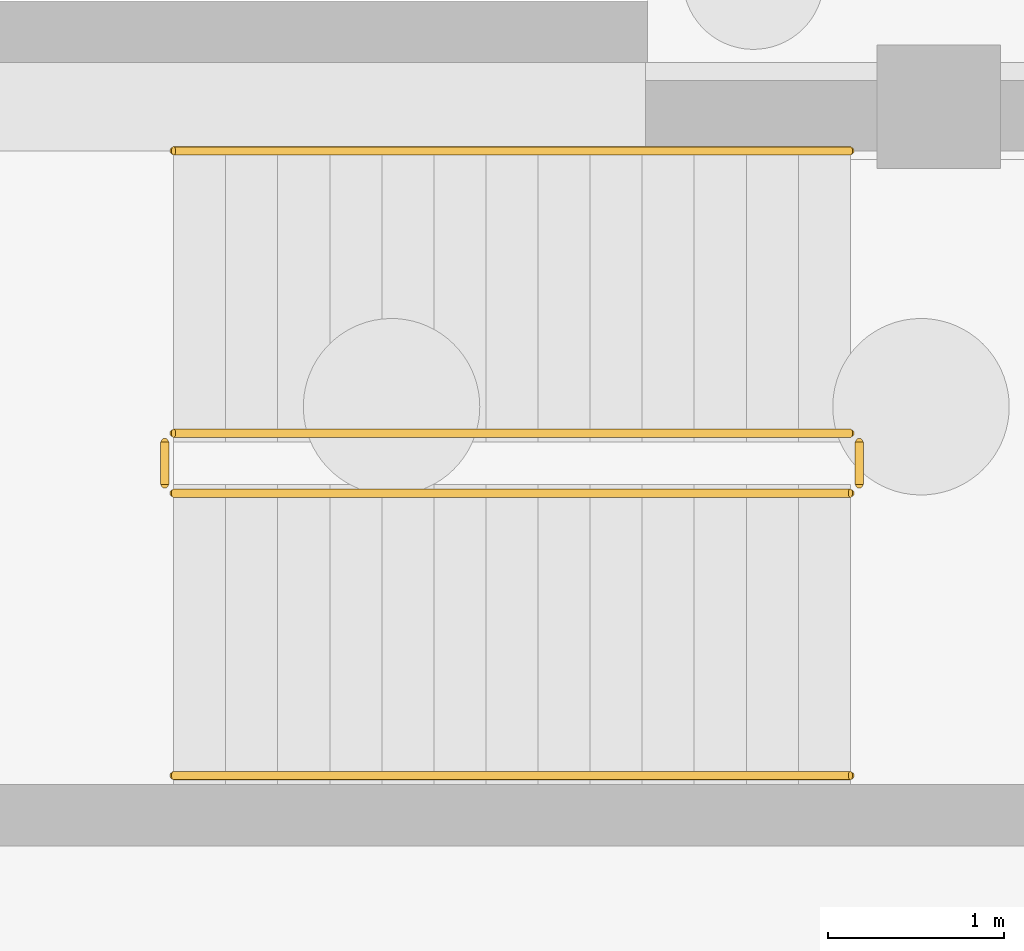
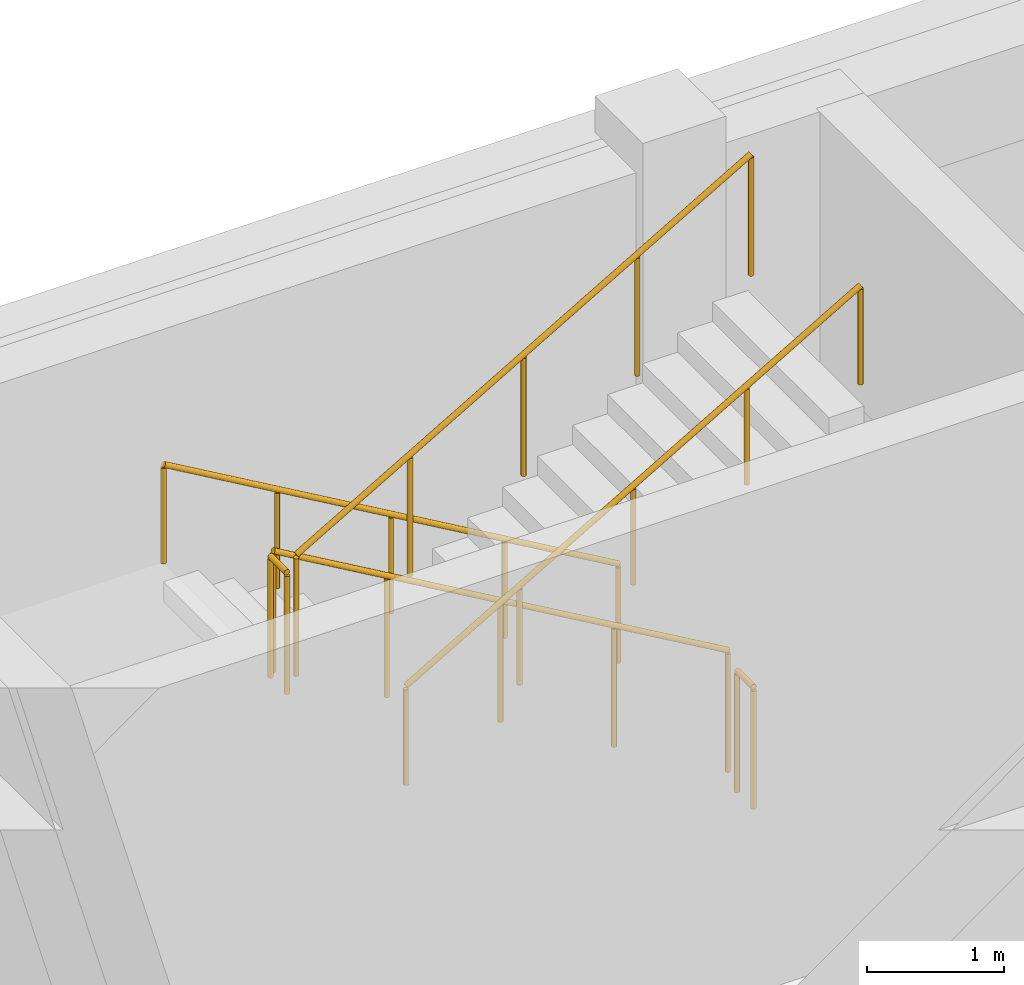
# One storey, part 33 of 35: 6 railings.
"""IFC4 building model written with IfcOpenShell, lengths in metres."""

from ifc_helpers import new_model, si_unit, direction, frame, origin, origin_2d, place, context, subcontext, project, spatial, circle, extrude, material, type_object, element, save


model = new_model("IFC4")

# Units and contexts
model_context = context("Model", 3, precision=1e-05, world=origin(), true_north=direction((0.0, 1.0)))
body_context = subcontext(model_context, "Body", "Model", "MODEL_VIEW")
ifc_project = project(units=[si_unit("LENGTHUNIT", "METRE"), si_unit("AREAUNIT", "SQUARE_METRE"), si_unit("VOLUMEUNIT", "CUBIC_METRE"), si_unit("PLANEANGLEUNIT", "RADIAN"), si_unit("MASSUNIT", "GRAM", prefix="KILO")], contexts=[model_context])

# Site, building, storey
site_placement = place(None, origin())
site = spatial("IfcSite", under=ifc_project, at=site_placement, CompositionType="ELEMENT")
building_placement = place(site_placement, origin())
building = spatial("IfcBuilding", under=site, at=building_placement, Name="Zayran Congress Hotel", CompositionType="ELEMENT")
storey_placement = place(building_placement, frame((0.0, 0.0, -4.800048828125)))
storey = spatial("IfcBuildingStorey", under=building, at=storey_placement, Name="B1", CompositionType="ELEMENT", Elevation=-4.800048828125)

# Railings
ifc_material_1 = material(Name="Painted steel balustrade", Category="steel")
railing_type_1 = type_object("IfcRailingType", Name="TP-GRD-INT", PredefinedType="GUARDRAIL", material=ifc_material_1)
railing_1_placement = place(storey_placement, frame((159.10009765625, 39.949951171875, 0.17138671875)))
element("IfcRailing", 1, at=railing_1_placement, inside=storey, type_object=railing_type_1, Name="B1 ST-11 stair guard 1", PredefinedType="GUARDRAIL", context=body_context, shape_type="SweptSolid", body=[
    extrude(circle(Radius=0.02392578125, at=origin_2d()), frame((0.0, 0.0, 1.076171875), z_axis=(-0.864606168755, 0.0, 0.50245016962), x_axis=(0.0, -1.0, 0.0)), (0.0, 0.0, 1.0), 4.435791015625),
    extrude(circle(Radius=0.02099609375, at=origin_2d()), origin(), (0.0, 0.0, 1.0), 1.052001953125),
    extrude(circle(Radius=0.02099609375, at=origin_2d()), frame((-0.958740234375, 0.0, 0.55712890625)), (0.0, 0.0, 1.0), 1.052001953125),
    extrude(circle(Radius=0.02099609375, at=origin_2d()), frame((-1.91748046875, 0.0, 1.1142578125)), (0.0, 0.0, 1.0), 1.052001953125),
    extrude(circle(Radius=0.02099609375, at=origin_2d()), frame((-2.87646484375, 0.0, 1.671630859375)), (0.0, 0.0, 1.0), 1.052001953125),
    extrude(circle(Radius=0.02099609375, at=origin_2d()), frame((-3.835205078125, 0.0, 2.228759765625)), (0.0, 0.0, 1.0), 1.052001953125),
])
railing_2_placement = place(storey_placement, frame((155.215087890625, 39.89990234375, 2.400146484375)))
element("IfcRailing", 2, at=railing_2_placement, inside=storey, type_object=railing_type_1, Name="B1 ST-11 stair guard 2", PredefinedType="GUARDRAIL", context=body_context, shape_type="SweptSolid", body=[
    extrude(circle(Radius=0.02392578125, at=origin_2d()), frame((0.0, 0.0, 1.076171875), z_axis=(0.0, -1.0, 0.0), x_axis=(1.0, 0.0, 0.0)), (0.0, 0.0, 1.0), 0.239990234375),
    extrude(circle(Radius=0.02099609375, at=origin_2d()), origin(), (0.0, 0.0, 1.0), 1.052001953125),
    extrude(circle(Radius=0.02099609375, at=origin_2d()), frame((0.0, -0.239990234375, 0.0)), (0.0, 0.0, 1.0), 1.052001953125),
])
railing_3_placement = place(storey_placement, frame((155.264892578125, 39.610107421875, 2.571533203125)))
element("IfcRailing", 3, at=railing_3_placement, inside=storey, type_object=railing_type_1, Name="B1 ST-11 stair guard 3", PredefinedType="GUARDRAIL", context=body_context, shape_type="SweptSolid", body=[
    extrude(circle(Radius=0.02392578125, at=origin_2d()), frame((0.0, 0.0, 1.076171875), z_axis=(0.864630078522, 0.0, 0.502409023919), x_axis=(0.0, 1.0, 0.0)), (0.0, 0.0, 1.0), 4.435546875),
    extrude(circle(Radius=0.02099609375, at=origin_2d()), origin(), (0.0, 0.0, 1.0), 1.052001953125),
    extrude(circle(Radius=0.02099609375, at=origin_2d()), frame((0.958740234375, 0.0, 0.55712890625)), (0.0, 0.0, 1.0), 1.052001953125),
    extrude(circle(Radius=0.02099609375, at=origin_2d()), frame((1.91748046875, 0.0, 1.1142578125)), (0.0, 0.0, 1.0), 1.052001953125),
    extrude(circle(Radius=0.02099609375, at=origin_2d()), frame((2.87646484375, 0.0, 1.67138671875)), (0.0, 0.0, 1.0), 1.052001953125),
    extrude(circle(Radius=0.02099609375, at=origin_2d()), frame((3.835205078125, 0.0, 2.228515625)), (0.0, 0.0, 1.0), 1.052001953125),
])
railing_4_placement = place(storey_placement, frame((159.14990234375, 39.89990234375, 0.0)))
element("IfcRailing", 4, at=railing_4_placement, inside=storey, type_object=railing_type_1, Name="B1 ST-11 stair guard 4", PredefinedType="GUARDRAIL", context=body_context, shape_type="SweptSolid", body=[
    extrude(circle(Radius=0.02392578125, at=origin_2d()), frame((0.0, 0.0, 1.076171875), z_axis=(0.0, -1.0, 0.0), x_axis=(1.0, 0.0, 0.0)), (0.0, 0.0, 1.0), 0.239990234375),
    extrude(circle(Radius=0.02099609375, at=origin_2d()), origin(), (0.0, 0.0, 1.0), 1.052001953125),
    extrude(circle(Radius=0.02099609375, at=origin_2d()), frame((0.0, -0.239990234375, 0.0)), (0.0, 0.0, 1.0), 1.052001953125),
])
ifc_material_2 = material(Name="Brushed stainless steel handrail", Category="steel")
railing_type_2 = type_object("IfcRailingType", Name="TP-HND-STR", PredefinedType="HANDRAIL", material=ifc_material_2)
railing_5_placement = place(storey_placement, frame((159.10009765625, 41.550048828125, 0.17138671875)))
element("IfcRailing", 5, at=railing_5_placement, inside=storey, type_object=railing_type_2, Name="B1 ST-11 stair handrail 1", PredefinedType="HANDRAIL", context=body_context, shape_type="SweptSolid", body=[
    extrude(circle(Radius=0.02392578125, at=origin_2d()), frame((0.0, 0.0, 0.8759765625), z_axis=(-0.864606168755, 0.0, 0.50245016962), x_axis=(0.0, -1.0, 0.0)), (0.0, 0.0, 1.0), 4.435791015625),
    extrude(circle(Radius=0.02099609375, at=origin_2d()), origin(), (0.0, 0.0, 1.0), 0.851806640625),
    extrude(circle(Radius=0.02099609375, at=origin_2d()), frame((-0.958740234375, 0.0, 0.55712890625)), (0.0, 0.0, 1.0), 0.851806640625),
    extrude(circle(Radius=0.02099609375, at=origin_2d()), frame((-1.91748046875, 0.0, 1.1142578125)), (0.0, 0.0, 1.0), 0.851806640625),
    extrude(circle(Radius=0.02099609375, at=origin_2d()), frame((-2.87646484375, 0.0, 1.671630859375)), (0.0, 0.0, 1.0), 0.851806640625),
    extrude(circle(Radius=0.02099609375, at=origin_2d()), frame((-3.835205078125, 0.0, 2.228759765625)), (0.0, 0.0, 1.0), 0.851806640625),
])
railing_6_placement = place(storey_placement, frame((155.264892578125, 38.010009765625, 2.571533203125)))
element("IfcRailing", 6, at=railing_6_placement, inside=storey, type_object=railing_type_2, Name="B1 ST-11 stair handrail 2", PredefinedType="HANDRAIL", context=body_context, shape_type="SweptSolid", body=[
    extrude(circle(Radius=0.02392578125, at=origin_2d()), frame((0.0, 0.0, 0.8759765625), z_axis=(0.864630078522, 0.0, 0.502409023919), x_axis=(0.0, 1.0, 0.0)), (0.0, 0.0, 1.0), 4.435546875),
    extrude(circle(Radius=0.02099609375, at=origin_2d()), origin(), (0.0, 0.0, 1.0), 0.851806640625),
    extrude(circle(Radius=0.02099609375, at=origin_2d()), frame((0.958740234375, 0.0, 0.55712890625)), (0.0, 0.0, 1.0), 0.851806640625),
    extrude(circle(Radius=0.02099609375, at=origin_2d()), frame((1.91748046875, 0.0, 1.1142578125)), (0.0, 0.0, 1.0), 0.851806640625),
    extrude(circle(Radius=0.02099609375, at=origin_2d()), frame((2.87646484375, 0.0, 1.67138671875)), (0.0, 0.0, 1.0), 0.851806640625),
    extrude(circle(Radius=0.02099609375, at=origin_2d()), frame((3.835205078125, 0.0, 2.228515625)), (0.0, 0.0, 1.0), 0.851806640625),
])

save(model, "model.ifc")
